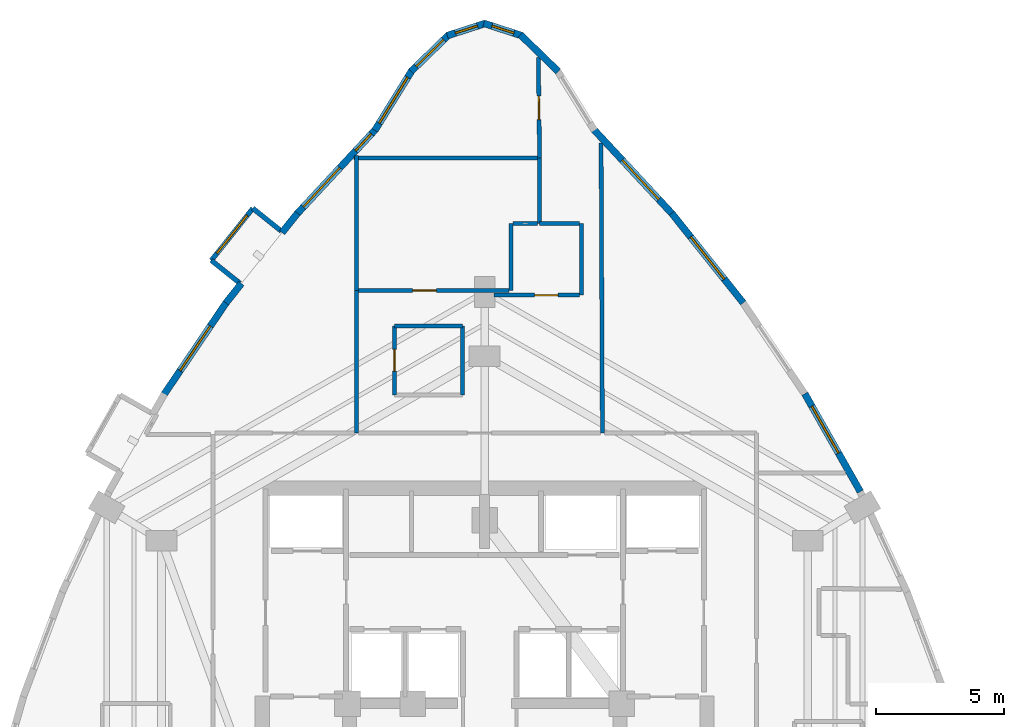
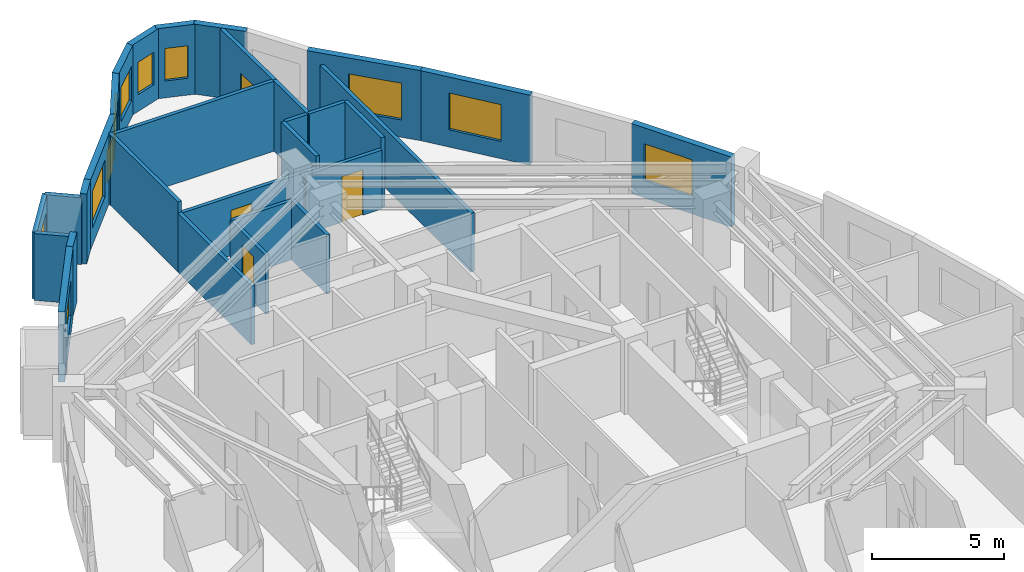
# One storey, part 10 of 12: 30 walls, 11 windows, 4 doors, 15 openings.
"""IFC4 building model written with IfcOpenShell, lengths in metres."""

from ifc_helpers import new_model, si_unit, direction, frame, frame_2d, origin, place, context, subcontext, project, spatial, rectangle, extrude, material, layer, layer_set, type_object, element, fill, save


model = new_model("IFC4")

# Units and contexts
model_context = context("Model", 3, precision=1e-05, world=origin(), true_north=direction((0.0, 1.0)))
body_context = subcontext(model_context, "Body", "Model", "MODEL_VIEW")
ifc_project = project(units=[si_unit("LENGTHUNIT", "METRE"), si_unit("AREAUNIT", "SQUARE_METRE"), si_unit("VOLUMEUNIT", "CUBIC_METRE"), si_unit("PLANEANGLEUNIT", "RADIAN"), si_unit("MASSUNIT", "GRAM", prefix="KILO")], contexts=[model_context])

# Site, building, storey
site_placement = place(None, origin())
site = spatial("IfcSite", under=ifc_project, at=site_placement, CompositionType="ELEMENT")
building_placement = place(site_placement, origin())
building = spatial("IfcBuilding", under=site, at=building_placement, Name="Miruveldt Soraemaru", CompositionType="ELEMENT")
storey_placement = place(building_placement, frame((0.0, 0.0, 145.89990234375)))
storey = spatial("IfcBuildingStorey", under=building, at=storey_placement, Name="L40", CompositionType="ELEMENT", Elevation=145.89990234375)

# Walls
ifc_material_1 = material(Name="White powder-coated aluminium EN AW-6060 T6", Category="aluminium")
ifc_layer_1 = layer(ifc_material_1, 0.18994140625, Name="White powder-coated aluminium EN AW-6060 T6", Category="aluminium")
ifc_layer_set_1 = layer_set([ifc_layer_1], Name="White powder-coated aluminium EN AW-6060 T6")
wall_type_1 = type_object("IfcWallType", Name="WALL-BAY-ALU190", PredefinedType="SOLIDWALL", material=ifc_layer_set_1)
for number, where, z_axis, x_axis, name in (
    (1, (36.073486328125, 62.479248046875, 0.0), (0.0, 0.0, 1.0), (-0.781737193764, 0.623608017817, 0.0), "L40 Bay Window Side Cheek 4L"),
    (2, (33.337890625, 61.335205078125, 0.0), (0.0, 0.0, 1.0), (0.781737193764, -0.623608017817, 0.0), "L40 Bay Window Side Cheek 4R"),
):
    element("IfcWall", number, at=place(storey_placement, frame(where, z_axis=z_axis, x_axis=x_axis)), inside=storey, type_object=wall_type_1, Name=name, PredefinedType="SOLIDWALL", context=body_context, shape_type="SweptSolid", body=[
        extrude(rectangle(XDim=1.425048828125, YDim=0.18994140625, at=frame_2d((0.71240234375, 0.0))), origin(), (0.0, 0.0, 1.0), 3.085205078125),
    ])

# Wall, opening, window
wall_1_placement = place(storey_placement, frame((34.95947265625, 63.367919921875, 0.0), z_axis=(0.0, 0.0, 1.0), x_axis=(-0.623618152817, -0.781729108756, 0.0)))
wall_1 = element("IfcWall", 3, at=wall_1_placement, inside=storey, type_object=wall_type_1, Name="L40 Bay Window Front Frame 4", PredefinedType="SOLIDWALL", context=body_context, shape_type="SweptSolid", body=[
    extrude(rectangle(XDim=2.600341796875, YDim=0.18994140625, at=frame_2d((1.30029296875, 0.0))), origin(), (0.0, 0.0, 1.0), 3.085205078125),
])
opening_1_placement = place(wall_1_placement, frame((0.35009765625, 0.0, 0.550048828125)))
opening_1 = element("IfcOpeningElement", 4, at=opening_1_placement, cuts=wall_1, Name="Opening WN-6", PredefinedType="OPENING", context=body_context, shape_type="SweptSolid", body=[
    extrude(rectangle(XDim=1.89990234375, YDim=1.85009765625, at=frame_2d((0.949951171875, 0.925048828125))), frame((0.0, 0.10498046875, 0.0), z_axis=(0.0, -1.0, 0.0), x_axis=(1.0, 0.0, 0.0)), (0.0, 0.0, 1.0), 0.2099609375),
])
ifc_material_2 = material(Name="Triple low-e insulated glazing", Category="glass")
window_type_1 = type_object("IfcWindowType", Name="WIN-BAYW-1900x1850", PartitioningType="SINGLE_PANEL", PredefinedType="WINDOW", material=ifc_material_2)
window_1_placement = place(opening_1_placement, origin())
window_1 = element("IfcWindow", 5, at=window_1_placement, inside=storey, type_object=window_type_1, Name="L40 Projecting Bay Window 4", OverallHeight=1.85009765625, OverallWidth=1.89990234375, PartitioningType="SINGLE_PANEL", PredefinedType="WINDOW", context=body_context, shape_type="SweptSolid", body=[
    extrude(rectangle(XDim=1.89990234375, YDim=1.85009765625, at=frame_2d((0.949951171875, 0.925048828125))), frame((0.0, 0.030029296875, 0.0), z_axis=(0.0, -1.0, 0.0), x_axis=(1.0, 0.0, 0.0)), (0.0, 0.0, 1.0), 0.06005859375),
])
fill(opening_1, window_1)

# Wall
ifc_material_3 = material(Name="Precast concrete C45/55 (45 MPa)", Category="concrete")
ifc_layer_2 = layer(ifc_material_3, 0.27001953125, Name="Precast concrete C45/55 (45 MPa)", Category="concrete")
ifc_layer_set_2 = layer_set([ifc_layer_2], Name="Precast concrete C45/55 (45 MPa)")
wall_type_2 = type_object("IfcWallType", Name="WALL-EXT-PC270", PredefinedType="SOLIDWALL", material=ifc_layer_set_2)
wall_2_placement = place(storey_placement, frame((46.869384765625, 68.710205078125, 0.0), z_axis=(0.0, 0.0, 1.0), x_axis=(-0.717738140021, 0.696313120916, 0.0)))
element("IfcWall", 6, at=wall_2_placement, inside=storey, type_object=wall_type_2, Name="L40 Precast Concrete Facade Wall 2", PredefinedType="SOLIDWALL", context=body_context, shape_type="SweptSolid", body=[
    extrude(rectangle(XDim=2.051025390625, YDim=0.27001953125, at=frame_2d((1.025390625, 0.0))), origin(), (0.0, 0.0, 1.0), 3.235107421875),
])

# Wall, opening, window
wall_3_placement = place(storey_placement, frame((45.45556640625, 70.103271484375, 0.0), z_axis=(0.0, 0.0, 1.0), x_axis=(-0.951484831967, 0.30769565245, 0.0)))
wall_3 = element("IfcWall", 7, at=wall_3_placement, inside=storey, type_object=wall_type_2, Name="L40 Precast Concrete Facade Wall 3", PredefinedType="SOLIDWALL", context=body_context, shape_type="SweptSolid", body=[
    extrude(rectangle(XDim=1.564697265625, YDim=0.27001953125, at=frame_2d((0.7822265625, 0.0))), origin(), (0.0, 0.0, 1.0), 3.235107421875),
])
opening_2_placement = place(wall_3_placement, frame((0.33203125, 0.0, 0.780029296875)))
opening_2 = element("IfcOpeningElement", 8, at=opening_2_placement, cuts=wall_3, Name="Opening WN-7", PredefinedType="OPENING", context=body_context, shape_type="SweptSolid", body=[
    extrude(rectangle(XDim=0.89990234375, YDim=1.5, at=frame_2d((0.449951171875, 0.75))), frame((0.0, 0.14501953125, 0.0), z_axis=(0.0, -1.0, 0.0), x_axis=(1.0, 0.0, 0.0)), (0.0, 0.0, 1.0), 0.2900390625),
])
window_type_2 = type_object("IfcWindowType", Name="WIN-PUNCH-900x1500", PartitioningType="SINGLE_PANEL", PredefinedType="WINDOW", material=ifc_material_2)
window_2_placement = place(opening_2_placement, origin())
window_2 = element("IfcWindow", 9, at=window_2_placement, inside=storey, type_object=window_type_2, Name="L40 Punched Triple-Glazed Window 03.1", OverallHeight=1.5, OverallWidth=0.89990234375, PartitioningType="SINGLE_PANEL", PredefinedType="WINDOW", context=body_context, shape_type="SweptSolid", body=[
    extrude(rectangle(XDim=0.89990234375, YDim=1.5, at=frame_2d((0.449951171875, 0.75))), frame((0.0, 0.030029296875, 0.0), z_axis=(0.0, -1.0, 0.0), x_axis=(1.0, 0.0, 0.0)), (0.0, 0.0, 1.0), 0.06005859375),
])
fill(opening_2, window_2)

wall_4_placement = place(storey_placement, frame((44.033203125, 70.584716796875, 0.0), z_axis=(0.0, 0.0, 1.0), x_axis=(-0.951484831967, -0.30769565245, 0.0)))
wall_4 = element("IfcWall", 10, at=wall_4_placement, inside=storey, type_object=wall_type_2, Name="L40 Precast Concrete Facade Wall 4", PredefinedType="SOLIDWALL", context=body_context, shape_type="SweptSolid", body=[
    extrude(rectangle(XDim=1.564697265625, YDim=0.27001953125, at=frame_2d((0.7822265625, 0.0))), origin(), (0.0, 0.0, 1.0), 3.235107421875),
])
opening_3_placement = place(wall_4_placement, frame((0.33203125, 0.0, 0.780029296875)))
opening_3 = element("IfcOpeningElement", 11, at=opening_3_placement, cuts=wall_4, Name="Opening WN-7", PredefinedType="OPENING", context=body_context, shape_type="SweptSolid", body=[
    extrude(rectangle(XDim=0.89990234375, YDim=1.5, at=frame_2d((0.449951171875, 0.75))), frame((0.0, 0.14501953125, 0.0), z_axis=(0.0, -1.0, 0.0), x_axis=(1.0, 0.0, 0.0)), (0.0, 0.0, 1.0), 0.2900390625),
])
window_3_placement = place(opening_3_placement, origin())
window_3 = element("IfcWindow", 12, at=window_3_placement, inside=storey, type_object=window_type_2, Name="L40 Punched Triple-Glazed Window 04.1", OverallHeight=1.5, OverallWidth=0.89990234375, PartitioningType="SINGLE_PANEL", PredefinedType="WINDOW", context=body_context, shape_type="SweptSolid", body=[
    extrude(rectangle(XDim=0.89990234375, YDim=1.5, at=frame_2d((0.449951171875, 0.75))), frame((0.0, 0.030029296875, 0.0), z_axis=(0.0, -1.0, 0.0), x_axis=(1.0, 0.0, 0.0)), (0.0, 0.0, 1.0), 0.06005859375),
])
fill(opening_3, window_3)

wall_5_placement = place(storey_placement, frame((42.602783203125, 70.138427734375, 0.0), z_axis=(0.0, 0.0, 1.0), x_axis=(-0.717738140021, -0.696313120916, 0.0)))
wall_5 = element("IfcWall", 13, at=wall_5_placement, inside=storey, type_object=wall_type_2, Name="L40 Precast Concrete Facade Wall 5", PredefinedType="SOLIDWALL", context=body_context, shape_type="SweptSolid", body=[
    extrude(rectangle(XDim=2.051025390625, YDim=0.27001953125, at=frame_2d((1.025390625, 0.0))), origin(), (0.0, 0.0, 1.0), 3.235107421875),
])
opening_4_placement = place(wall_5_placement, frame((0.27587890625, 0.0, 0.800048828125)))
opening_4 = element("IfcOpeningElement", 14, at=opening_4_placement, cuts=wall_5, Name="Opening WN-3", PredefinedType="OPENING", context=body_context, shape_type="SweptSolid", body=[
    extrude(rectangle(XDim=1.5, YDim=1.60009765625, at=frame_2d((0.75, 0.800048828125))), frame((0.0, 0.14501953125, 0.0), z_axis=(0.0, -1.0, 0.0), x_axis=(1.0, 0.0, 0.0)), (0.0, 0.0, 1.0), 0.2900390625),
])
window_type_3 = type_object("IfcWindowType", Name="WIN-PUNCH-1500x1600", PartitioningType="SINGLE_PANEL", PredefinedType="WINDOW", material=ifc_material_2)
window_4_placement = place(opening_4_placement, origin())
window_4 = element("IfcWindow", 15, at=window_4_placement, inside=storey, type_object=window_type_3, Name="L40 Punched Triple-Glazed Window 05.1", OverallHeight=1.60009765625, OverallWidth=1.5, PartitioningType="SINGLE_PANEL", PredefinedType="WINDOW", context=body_context, shape_type="SweptSolid", body=[
    extrude(rectangle(XDim=1.5, YDim=1.60009765625, at=frame_2d((0.75, 0.800048828125))), frame((0.0, 0.030029296875, 0.0), z_axis=(0.0, -1.0, 0.0), x_axis=(1.0, 0.0, 0.0)), (0.0, 0.0, 1.0), 0.06005859375),
])
fill(opening_4, window_4)

wall_6_placement = place(storey_placement, frame((41.174072265625, 68.764404296875, 0.0), z_axis=(0.0, 0.0, 1.0), x_axis=(-0.526060624403, -0.850447070341, 0.0)))
wall_6 = element("IfcWall", 16, at=wall_6_placement, inside=storey, type_object=wall_type_2, Name="L40 Precast Concrete Facade Wall 6", PredefinedType="SOLIDWALL", context=body_context, shape_type="SweptSolid", body=[
    extrude(rectangle(XDim=2.7734375, YDim=0.27001953125, at=frame_2d((1.38671875, 0.0))), origin(), (0.0, 0.0, 1.0), 3.235107421875),
])
opening_5_placement = place(wall_6_placement, frame((0.3369140625, 0.0, 0.800048828125)))
opening_5 = element("IfcOpeningElement", 17, at=opening_5_placement, cuts=wall_6, Name="Opening WN-1", PredefinedType="OPENING", context=body_context, shape_type="SweptSolid", body=[
    extrude(rectangle(XDim=2.10009765625, YDim=1.699951171875, at=frame_2d((1.050048828125, 0.85009765625))), frame((0.0, 0.14501953125, 0.0), z_axis=(0.0, -1.0, 0.0), x_axis=(1.0, 0.0, 0.0)), (0.0, 0.0, 1.0), 0.2900390625),
])
window_type_4 = type_object("IfcWindowType", Name="WIN-PUNCH-2100x1700", PartitioningType="SINGLE_PANEL", PredefinedType="WINDOW", material=ifc_material_2)
window_5_placement = place(opening_5_placement, origin())
window_5 = element("IfcWindow", 18, at=window_5_placement, inside=storey, type_object=window_type_4, Name="L40 Punched Triple-Glazed Window 06.1", OverallHeight=1.699951171875, OverallWidth=2.10009765625, PartitioningType="SINGLE_PANEL", PredefinedType="WINDOW", context=body_context, shape_type="SweptSolid", body=[
    extrude(rectangle(XDim=2.10009765625, YDim=1.699951171875, at=frame_2d((1.050048828125, 0.85009765625))), frame((0.0, 0.030029296875, 0.0), z_axis=(0.0, -1.0, 0.0), x_axis=(1.0, 0.0, 0.0)), (0.0, 0.0, 1.0), 0.06005859375),
])
fill(opening_5, window_5)

# Wall, openings, windows
wall_7_placement = place(storey_placement, frame((39.757080078125, 66.461181640625, 0.0), z_axis=(0.0, 0.0, 1.0), x_axis=(-0.680858015042, -0.732415430854, 0.0)))
wall_7 = element("IfcWall", 19, at=wall_7_placement, inside=storey, type_object=wall_type_2, Name="L40 Precast Concrete Facade Wall 7", PredefinedType="SOLIDWALL", context=body_context, shape_type="SweptSolid", body=[
    extrude(rectangle(XDim=4.555419921875, YDim=0.27001953125, at=frame_2d((2.27783203125, 0.0))), origin(), (0.0, 0.0, 1.0), 3.235107421875),
])
opening_6_placement = place(wall_7_placement, frame((2.052978515625, 0.0, 0.800048828125)))
opening_6 = element("IfcOpeningElement", 20, at=opening_6_placement, cuts=wall_7, Name="Opening WN-1", PredefinedType="OPENING", context=body_context, shape_type="SweptSolid", body=[
    extrude(rectangle(XDim=2.10009765625, YDim=1.699951171875, at=frame_2d((1.050048828125, 0.85009765625))), frame((0.0, 0.14501953125, 0.0), z_axis=(0.0, -1.0, 0.0), x_axis=(1.0, 0.0, 0.0)), (0.0, 0.0, 1.0), 0.2900390625),
])
opening_7_placement = place(wall_7_placement, frame((0.260009765625, 0.0, 0.780029296875)))
opening_7 = element("IfcOpeningElement", 21, at=opening_7_placement, cuts=wall_7, Name="Opening WN-7", PredefinedType="OPENING", context=body_context, shape_type="SweptSolid", body=[
    extrude(rectangle(XDim=0.89990234375, YDim=1.5, at=frame_2d((0.449951171875, 0.75))), frame((0.0, 0.14501953125, 0.0), z_axis=(0.0, -1.0, 0.0), x_axis=(1.0, 0.0, 0.0)), (0.0, 0.0, 1.0), 0.2900390625),
])
window_6_placement = place(opening_6_placement, origin())
window_6 = element("IfcWindow", 22, at=window_6_placement, inside=storey, type_object=window_type_4, Name="L40 Punched Triple-Glazed Window 07.1", OverallHeight=1.699951171875, OverallWidth=2.10009765625, PartitioningType="SINGLE_PANEL", PredefinedType="WINDOW", context=body_context, shape_type="SweptSolid", body=[
    extrude(rectangle(XDim=2.10009765625, YDim=1.699951171875, at=frame_2d((1.050048828125, 0.85009765625))), frame((0.0, 0.030029296875, 0.0), z_axis=(0.0, -1.0, 0.0), x_axis=(1.0, 0.0, 0.0)), (0.0, 0.0, 1.0), 0.06005859375),
])
fill(opening_6, window_6)
window_7_placement = place(opening_7_placement, origin())
window_7 = element("IfcWindow", 23, at=window_7_placement, inside=storey, type_object=window_type_2, Name="L40 Bedroom Casement Window 1", OverallHeight=1.5, OverallWidth=0.89990234375, PartitioningType="SINGLE_PANEL", PredefinedType="WINDOW", context=body_context, shape_type="SweptSolid", body=[
    extrude(rectangle(XDim=0.89990234375, YDim=1.5, at=frame_2d((0.449951171875, 0.75))), frame((0.0, 0.030029296875, 0.0), z_axis=(0.0, -1.0, 0.0), x_axis=(1.0, 0.0, 0.0)), (0.0, 0.0, 1.0), 0.06005859375),
])
fill(opening_7, window_7)

# Walls
for number, where, z_axis, x_axis, name in (
    (24, (36.700927734375, 63.177734375, 0.0), (0.0, 0.0, 1.0), (-0.62355573301, -0.781778899581, 0.0), "L40 Precast Pier Wall 8A"),
    (25, (34.513671875, 60.435791015625, 0.0), (0.0, 0.0, 1.0), (-0.62355573301, -0.781778899581, 0.0), "L40 Precast Pier Wall 8B"),
):
    element("IfcWall", number, at=place(storey_placement, frame(where, z_axis=z_axis, x_axis=x_axis)), inside=storey, type_object=wall_type_2, Name=name, PredefinedType="SOLIDWALL", context=body_context, shape_type="SweptSolid", body=[
        extrude(rectangle(XDim=0.967529296875, YDim=0.27001953125, at=frame_2d((0.48388671875, 0.0))), origin(), (0.0, 0.0, 1.0), 3.235107421875),
    ])

# Wall, opening, window
wall_8_placement = place(storey_placement, frame((33.951904296875, 59.73583984375, 0.0), z_axis=(0.0, 0.0, 1.0), x_axis=(-0.560840818174, -0.82792365389, 0.0)))
wall_8 = element("IfcWall", 26, at=wall_8_placement, inside=storey, type_object=wall_type_2, Name="L40 Precast Concrete Facade Wall 9", PredefinedType="SOLIDWALL", context=body_context, shape_type="SweptSolid", body=[
    extrude(rectangle(XDim=4.420654296875, YDim=0.27001953125, at=frame_2d((2.21044921875, 0.0))), origin(), (0.0, 0.0, 1.0), 3.235107421875),
])
opening_8_placement = place(wall_8_placement, frame((1.159912109375, 0.0, 0.800048828125)))
opening_8 = element("IfcOpeningElement", 27, at=opening_8_placement, cuts=wall_8, Name="Opening WN-1", PredefinedType="OPENING", context=body_context, shape_type="SweptSolid", body=[
    extrude(rectangle(XDim=2.10009765625, YDim=1.699951171875, at=frame_2d((1.050048828125, 0.85009765625))), frame((0.0, 0.14501953125, 0.0), z_axis=(0.0, -1.0, 0.0), x_axis=(1.0, 0.0, 0.0)), (0.0, 0.0, 1.0), 0.2900390625),
])
window_8_placement = place(opening_8_placement, origin())
window_8 = element("IfcWindow", 28, at=window_8_placement, inside=storey, type_object=window_type_4, Name="L40 Punched Triple-Glazed Window 09.1", OverallHeight=1.699951171875, OverallWidth=2.10009765625, PartitioningType="SINGLE_PANEL", PredefinedType="WINDOW", context=body_context, shape_type="SweptSolid", body=[
    extrude(rectangle(XDim=2.10009765625, YDim=1.699951171875, at=frame_2d((1.050048828125, 0.85009765625))), frame((0.0, 0.030029296875, 0.0), z_axis=(0.0, -1.0, 0.0), x_axis=(1.0, 0.0, 0.0)), (0.0, 0.0, 1.0), 0.06005859375),
])
fill(opening_8, window_8)

wall_9_placement = place(storey_placement, frame((58.65771484375, 52.314208984375, 0.0), z_axis=(0.0, 0.0, 1.0), x_axis=(-0.493329436657, 0.869842552953, 0.0)))
wall_9 = element("IfcWall", 29, at=wall_9_placement, inside=storey, type_object=wall_type_2, Name="L40 Precast Concrete Facade Wall 39", PredefinedType="SOLIDWALL", context=body_context, shape_type="SweptSolid", body=[
    extrude(rectangle(XDim=4.39306640625, YDim=0.27001953125, at=frame_2d((2.196533203125, 0.0))), origin(), (0.0, 0.0, 1.0), 3.235107421875),
])
opening_9_placement = place(wall_9_placement, frame((1.73193359375, 0.0, 0.800048828125)))
opening_9 = element("IfcOpeningElement", 30, at=opening_9_placement, cuts=wall_9, Name="Opening WN-1", PredefinedType="OPENING", context=body_context, shape_type="SweptSolid", body=[
    extrude(rectangle(XDim=2.10009765625, YDim=1.699951171875, at=frame_2d((1.050048828125, 0.85009765625))), frame((0.0, 0.14501953125, 0.0), z_axis=(0.0, -1.0, 0.0), x_axis=(1.0, 0.0, 0.0)), (0.0, 0.0, 1.0), 0.2900390625),
])
window_9_placement = place(opening_9_placement, origin())
window_9 = element("IfcWindow", 31, at=window_9_placement, inside=storey, type_object=window_type_4, Name="L40 Punched Triple-Glazed Window 39.1", OverallHeight=1.699951171875, OverallWidth=2.10009765625, PartitioningType="SINGLE_PANEL", PredefinedType="WINDOW", context=body_context, shape_type="SweptSolid", body=[
    extrude(rectangle(XDim=2.10009765625, YDim=1.699951171875, at=frame_2d((1.050048828125, 0.85009765625))), frame((0.0, 0.030029296875, 0.0), z_axis=(0.0, -1.0, 0.0), x_axis=(1.0, 0.0, 0.0)), (0.0, 0.0, 1.0), 0.06005859375),
])
fill(opening_9, window_9)

wall_10_placement = place(storey_placement, frame((54.089599609375, 59.679443359375, 0.0), z_axis=(0.0, 0.0, 1.0), x_axis=(-0.62358996999, 0.78175159055, 0.0)))
wall_10 = element("IfcWall", 32, at=wall_10_placement, inside=storey, type_object=wall_type_2, Name="L40 Precast Concrete Facade Wall 41", PredefinedType="SOLIDWALL", context=body_context, shape_type="SweptSolid", body=[
    extrude(rectangle(XDim=4.474853515625, YDim=0.27001953125, at=frame_2d((2.2373046875, 0.0))), origin(), (0.0, 0.0, 1.0), 3.235107421875),
])
opening_10_placement = place(wall_10_placement, frame((1.18701171875, 0.0, 0.800048828125)))
opening_10 = element("IfcOpeningElement", 33, at=opening_10_placement, cuts=wall_10, Name="Opening WN-1", PredefinedType="OPENING", context=body_context, shape_type="SweptSolid", body=[
    extrude(rectangle(XDim=2.10009765625, YDim=1.699951171875, at=frame_2d((1.050048828125, 0.85009765625))), frame((0.0, 0.14501953125, 0.0), z_axis=(0.0, -1.0, 0.0), x_axis=(1.0, 0.0, 0.0)), (0.0, 0.0, 1.0), 0.2900390625),
])
window_10_placement = place(opening_10_placement, origin())
window_10 = element("IfcWindow", 34, at=window_10_placement, inside=storey, type_object=window_type_4, Name="L40 Punched Triple-Glazed Window 41.1", OverallHeight=1.699951171875, OverallWidth=2.10009765625, PartitioningType="SINGLE_PANEL", PredefinedType="WINDOW", context=body_context, shape_type="SweptSolid", body=[
    extrude(rectangle(XDim=2.10009765625, YDim=1.699951171875, at=frame_2d((1.050048828125, 0.85009765625))), frame((0.0, 0.030029296875, 0.0), z_axis=(0.0, -1.0, 0.0), x_axis=(1.0, 0.0, 0.0)), (0.0, 0.0, 1.0), 0.06005859375),
])
fill(opening_10, window_10)

wall_11_placement = place(storey_placement, frame((51.344482421875, 63.124755859375, 0.0), z_axis=(0.0, 0.0, 1.0), x_axis=(-0.680858015042, 0.732415430854, 0.0)))
wall_11 = element("IfcWall", 35, at=wall_11_placement, inside=storey, type_object=wall_type_2, Name="L40 Precast Concrete Facade Wall 42", PredefinedType="SOLIDWALL", context=body_context, shape_type="SweptSolid", body=[
    extrude(rectangle(XDim=4.555419921875, YDim=0.27001953125, at=frame_2d((2.27783203125, 0.0))), origin(), (0.0, 0.0, 1.0), 3.235107421875),
])
opening_11_placement = place(wall_11_placement, frame((0.805908203125, 0.0, 0.800048828125)))
opening_11 = element("IfcOpeningElement", 36, at=opening_11_placement, cuts=wall_11, Name="Opening WN-1", PredefinedType="OPENING", context=body_context, shape_type="SweptSolid", body=[
    extrude(rectangle(XDim=2.10009765625, YDim=1.699951171875, at=frame_2d((1.050048828125, 0.85009765625))), frame((0.0, 0.14501953125, 0.0), z_axis=(0.0, -1.0, 0.0), x_axis=(1.0, 0.0, 0.0)), (0.0, 0.0, 1.0), 0.2900390625),
])
window_11_placement = place(opening_11_placement, origin())
window_11 = element("IfcWindow", 37, at=window_11_placement, inside=storey, type_object=window_type_4, Name="L40 Punched Triple-Glazed Window 42.1", OverallHeight=1.699951171875, OverallWidth=2.10009765625, PartitioningType="SINGLE_PANEL", PredefinedType="WINDOW", context=body_context, shape_type="SweptSolid", body=[
    extrude(rectangle(XDim=2.10009765625, YDim=1.699951171875, at=frame_2d((1.050048828125, 0.85009765625))), frame((0.0, 0.030029296875, 0.0), z_axis=(0.0, -1.0, 0.0), x_axis=(1.0, 0.0, 0.0)), (0.0, 0.0, 1.0), 0.06005859375),
])
fill(opening_11, window_11)

# Wall, opening, door
ifc_material_4 = material(Name="Gypsum plasterboard lining", Category="gypsum")
ifc_layer_3 = layer(ifc_material_4, 0.14990234375, Name="Gypsum plasterboard lining", Category="gypsum")
ifc_layer_set_3 = layer_set([ifc_layer_3], Name="Gypsum plasterboard lining")
wall_type_3 = type_object("IfcWallType", Name="WALL-INT-PLUMB", PredefinedType="PLUMBINGWALL", material=ifc_layer_set_3)
wall_12_placement = place(storey_placement, frame((40.48095703125, 58.780029296875, 0.0), z_axis=(0.0, 0.0, 1.0), x_axis=(0.0, -1.0, 0.0)))
wall_12 = element("IfcWall", 38, at=wall_12_placement, inside=storey, type_object=wall_type_3, Name="L40 Partition Wall 18", PredefinedType="PLUMBINGWALL", context=body_context, shape_type="SweptSolid", body=[
    extrude(rectangle(XDim=2.699951171875, YDim=0.14990234375, at=frame_2d((1.35009765625, 0.0))), origin(), (0.0, 0.0, 1.0), 2.72314453125),
])
opening_12_placement = place(wall_12_placement, frame((0.909912109375, 0.0, 0.0)))
opening_12 = element("IfcOpeningElement", 39, at=opening_12_placement, cuts=wall_12, Name="Opening FD3", PredefinedType="OPENING", context=body_context, shape_type="SweptSolid", body=[
    extrude(rectangle(XDim=0.85009765625, YDim=2.10009765625, at=frame_2d((0.425048828125, 1.050048828125))), frame((0.0, 0.0849609375, 0.0), z_axis=(0.0, -1.0, 0.0), x_axis=(1.0, 0.0, 0.0)), (0.0, 0.0, 1.0), 0.169921875),
])
ifc_material_5 = material(Name="Anodised aluminium EN AW-6063 T6", Category="aluminium")
door_type_1 = type_object("IfcDoorType", Name="DOOR-FD3-850", OperationType="NOTDEFINED", PredefinedType="DOOR", material=ifc_material_5)
door_1_placement = place(opening_12_placement, origin())
door_1 = element("IfcDoor", 40, at=door_1_placement, inside=storey, type_object=door_type_1, Name="L40 Unit 4002 BTH Door", OperationType="SINGLE_SWING_RIGHT", OverallHeight=2.10009765625, OverallWidth=0.85009765625, PredefinedType="DOOR", context=body_context, shape_type="SweptSolid", body=[
    extrude(rectangle(XDim=0.85009765625, YDim=2.10009765625, at=frame_2d((0.425048828125, 1.050048828125))), frame((0.0, 0.02490234375, 0.0), z_axis=(0.0, -1.0, 0.0), x_axis=(1.0, 0.0, 0.0)), (0.0, 0.0, 1.0), 0.050048828125),
])
fill(opening_12, door_1)

# Walls
wall_13_placement = place(storey_placement, frame((43.131103515625, 56.080078125, 0.0), z_axis=(0.0, 0.0, 1.0), x_axis=(0.0, 1.0, 0.0)))
element("IfcWall", 41, at=wall_13_placement, inside=storey, type_object=wall_type_3, Name="L40 Partition Wall 16", PredefinedType="PLUMBINGWALL", context=body_context, shape_type="SweptSolid", body=[
    extrude(rectangle(XDim=2.699951171875, YDim=0.14990234375, at=frame_2d((1.35009765625, 0.0))), origin(), (0.0, 0.0, 1.0), 2.735107421875),
])
wall_14_placement = place(storey_placement, frame((43.131103515625, 58.780029296875, 0.0), z_axis=(0.0, 0.0, 1.0), x_axis=(-1.0, 0.0, 0.0)))
element("IfcWall", 42, at=wall_14_placement, inside=storey, type_object=wall_type_3, Name="L40 Partition Wall 17", PredefinedType="PLUMBINGWALL", context=body_context, shape_type="SweptSolid", body=[
    extrude(rectangle(XDim=2.650146484375, YDim=0.14990234375, at=frame_2d((1.3251953125, 0.0))), origin(), (0.0, 0.0, 1.0), 2.72314453125),
])

# Wall, opening, door
ifc_material_6 = material(Name="Concrete C40/50 (40 MPa)", Category="concrete")
ifc_layer_4 = layer(ifc_material_6, 0.159912109375, Name="Concrete C40/50 (40 MPa)", Category="concrete")
ifc_layer_set_4 = layer_set([ifc_layer_4], Name="Concrete C40/50 (40 MPa)")
wall_type_4 = type_object("IfcWallType", Name="WALL-INT-RC160", PredefinedType="SOLIDWALL", material=ifc_layer_set_4)
wall_15_placement = place(storey_placement, frame((44.950927734375, 60.160888671875, 0.0), z_axis=(0.0, 0.0, 1.0), x_axis=(-1.0, 0.0, 0.0)))
wall_15 = element("IfcWall", 43, at=wall_15_placement, inside=storey, type_object=wall_type_4, Name="L40 Partition Wall 24", PredefinedType="SOLIDWALL", context=body_context, shape_type="SweptSolid", body=[
    extrude(rectangle(XDim=5.870849609375, YDim=0.159912109375, at=frame_2d((2.935546875, 0.0))), origin(), (0.0, 0.0, 1.0), 2.72314453125),
])
opening_13_placement = place(wall_15_placement, frame((2.8359375, 0.0, 0.0)))
opening_13 = element("IfcOpeningElement", 44, at=opening_13_placement, cuts=wall_15, Name="Opening D3A", PredefinedType="OPENING", context=body_context, shape_type="SweptSolid", body=[
    extrude(rectangle(XDim=0.919921875, YDim=2.10009765625, at=frame_2d((0.4599609375, 1.050048828125))), frame((0.0, 0.08984375, 0.0), z_axis=(0.0, -1.0, 0.0), x_axis=(1.0, 0.0, 0.0)), (0.0, 0.0, 1.0), 0.179931640625),
])
door_type_2 = type_object("IfcDoorType", Name="DOOR-INT-920", OperationType="NOTDEFINED", PredefinedType="DOOR", material=ifc_material_5)
door_2_placement = place(opening_13_placement, origin())
door_2 = element("IfcDoor", 45, at=door_2_placement, inside=storey, type_object=door_type_2, Name="L40 Unit 4002 BD1 Door", OperationType="SINGLE_SWING_RIGHT", OverallHeight=2.10009765625, OverallWidth=0.919921875, PredefinedType="DOOR", context=body_context, shape_type="SweptSolid", body=[
    extrude(rectangle(XDim=0.919921875, YDim=2.10009765625, at=frame_2d((0.4599609375, 1.050048828125))), frame((0.0, 0.02490234375, 0.0), z_axis=(0.0, -1.0, 0.0), x_axis=(1.0, 0.0, 0.0)), (0.0, 0.0, 1.0), 0.050048828125),
])
fill(opening_13, door_2)

wall_16_placement = place(storey_placement, frame((46.095947265625, 69.251953125, 0.0), z_axis=(0.0, 0.0, 1.0), x_axis=(0.012249562797, -0.999924971291, 0.0)))
wall_16 = element("IfcWall", 46, at=wall_16_placement, inside=storey, type_object=wall_type_4, Name="L40 Partition Wall 25", PredefinedType="SOLIDWALL", context=body_context, shape_type="SweptSolid", body=[
    extrude(rectangle(XDim=3.92626953125, YDim=0.159912109375, at=frame_2d((1.963134765625, 0.0))), origin(), (0.0, 0.0, 1.0), 3.235107421875),
])
opening_14_placement = place(wall_16_placement, frame((1.5029296875, 0.0, 0.0)))
opening_14 = element("IfcOpeningElement", 47, at=opening_14_placement, cuts=wall_16, Name="Opening D3A", PredefinedType="OPENING", context=body_context, shape_type="SweptSolid", body=[
    extrude(rectangle(XDim=0.919921875, YDim=2.10009765625, at=frame_2d((0.4599609375, 1.050048828125))), frame((0.0, 0.08984375, 0.0), z_axis=(0.0, -1.0, 0.0), x_axis=(1.0, 0.0, 0.0)), (0.0, 0.0, 1.0), 0.179931640625),
])
door_3_placement = place(opening_14_placement, origin())
door_3 = element("IfcDoor", 48, at=door_3_placement, inside=storey, type_object=door_type_2, Name="L40 Unit 4002 BD2 Door", OperationType="SINGLE_SWING_LEFT", OverallHeight=2.10009765625, OverallWidth=0.919921875, PredefinedType="DOOR", context=body_context, shape_type="SweptSolid", body=[
    extrude(rectangle(XDim=0.919921875, YDim=2.10009765625, at=frame_2d((0.4599609375, 1.050048828125))), frame((0.0, 0.02490234375, 0.0), z_axis=(0.0, -1.0, 0.0), x_axis=(1.0, 0.0, 0.0)), (0.0, 0.0, 1.0), 0.050048828125),
])
fill(opening_14, door_3)

wall_17_placement = place(storey_placement, frame((44.375244140625, 59.97998046875, 0.0), z_axis=(0.0, 0.0, 1.0), x_axis=(1.0, 0.0, 0.0)))
wall_17 = element("IfcWall", 49, at=wall_17_placement, inside=storey, type_object=wall_type_4, Name="L40 Partition Wall 22", PredefinedType="SOLIDWALL", context=body_context, shape_type="SweptSolid", body=[
    extrude(rectangle(XDim=3.32568359375, YDim=0.159912109375, at=frame_2d((1.662841796875, 0.0))), origin(), (0.0, 0.0, 1.0), 2.72314453125),
])
opening_15_placement = place(wall_17_placement, frame((1.571044921875, 0.0, 0.0)))
opening_15 = element("IfcOpeningElement", 50, at=opening_15_placement, cuts=wall_17, Name="Opening D3A", PredefinedType="OPENING", context=body_context, shape_type="SweptSolid", body=[
    extrude(rectangle(XDim=0.919921875, YDim=2.10009765625, at=frame_2d((0.4599609375, 1.050048828125))), frame((0.0, 0.08984375, 0.0), z_axis=(0.0, -1.0, 0.0), x_axis=(1.0, 0.0, 0.0)), (0.0, 0.0, 1.0), 0.179931640625),
])
door_4_placement = place(opening_15_placement, origin())
door_4 = element("IfcDoor", 51, at=door_4_placement, inside=storey, type_object=door_type_2, Name="L40 Unit 4002 KIT Door", OperationType="SINGLE_SWING_LEFT", OverallHeight=2.10009765625, OverallWidth=0.919921875, PredefinedType="DOOR", context=body_context, shape_type="SweptSolid", body=[
    extrude(rectangle(XDim=0.919921875, YDim=2.10009765625, at=frame_2d((0.4599609375, 1.050048828125))), frame((0.0, 0.02490234375, 0.0), z_axis=(0.0, -1.0, 0.0), x_axis=(1.0, 0.0, 0.0)), (0.0, 0.0, 1.0), 0.050048828125),
])
fill(opening_15, door_4)

# Walls
wall_18_placement = place(storey_placement, frame((48.593994140625, 54.60009765625, 0.0), z_axis=(0.0, 0.0, 1.0), x_axis=(-0.004508345399, 0.999989837359, 0.0)))
element("IfcWall", 52, at=wall_18_placement, inside=storey, type_object=wall_type_4, Name="L40 Partition Wall 26", PredefinedType="SOLIDWALL", context=body_context, shape_type="SweptSolid", body=[
    extrude(rectangle(XDim=11.31787109375, YDim=0.159912109375, at=frame_2d((5.658935546875, 0.0))), origin(), (0.0, 0.0, 1.0), 2.72314453125),
])
wall_19_placement = place(storey_placement, frame((46.06396484375, 65.325927734375, 0.0), z_axis=(0.0, 0.0, 1.0), x_axis=(-1.0, 0.0, 0.0)))
element("IfcWall", 53, at=wall_19_placement, inside=storey, type_object=wall_type_4, Name="L40 Partition Wall 29", PredefinedType="SOLIDWALL", context=body_context, shape_type="SweptSolid", body=[
    extrude(rectangle(XDim=7.156982421875, YDim=0.159912109375, at=frame_2d((3.57861328125, 0.0))), origin(), (0.0, 0.0, 1.0), 3.235107421875),
])
wall_20_placement = place(storey_placement, frame((39.0, 54.60302734375, 0.0), z_axis=(0.0, 0.0, 1.0), x_axis=(0.0, 1.0, 0.0)))
element("IfcWall", 54, at=wall_20_placement, inside=storey, type_object=wall_type_4, Name="L40 Partition Wall 13", PredefinedType="SOLIDWALL", context=body_context, shape_type="SweptSolid", body=[
    extrude(rectangle(XDim=5.557861328125, YDim=0.159912109375, at=frame_2d((2.77880859375, 0.0))), origin(), (0.0, 0.0, 1.0), 2.72314453125),
])
wall_21_placement = place(storey_placement, frame((39.0, 60.160888671875, 0.0), z_axis=(0.0, 0.0, 1.0), x_axis=(0.0, 1.0, 0.0)))
element("IfcWall", 55, at=wall_21_placement, inside=storey, type_object=wall_type_4, Name="L40 Partition Wall 14", PredefinedType="SOLIDWALL", context=body_context, shape_type="SweptSolid", body=[
    extrude(rectangle(XDim=5.26513671875, YDim=0.159912109375, at=frame_2d((2.632568359375, 0.0))), origin(), (0.0, 0.0, 1.0), 3.235107421875),
])
wall_22_placement = place(storey_placement, frame((47.781005859375, 59.97998046875, 0.0), z_axis=(0.0, 0.0, 1.0), x_axis=(0.0, 1.0, 0.0)))
element("IfcWall", 56, at=wall_22_placement, inside=storey, type_object=wall_type_4, Name="L40 Partition Wall 20", PredefinedType="SOLIDWALL", context=body_context, shape_type="SweptSolid", body=[
    extrude(rectangle(XDim=2.800048828125, YDim=0.159912109375, at=frame_2d((1.39990234375, 0.0))), origin(), (0.0, 0.0, 1.0), 3.235107421875),
])
wall_23_placement = place(storey_placement, frame((45.031005859375, 62.780029296875, 0.0), z_axis=(0.0, 0.0, 1.0), x_axis=(0.0, -1.0, 0.0)))
element("IfcWall", 57, at=wall_23_placement, inside=storey, type_object=wall_type_4, Name="L40 Partition Wall 28", PredefinedType="SOLIDWALL", context=body_context, shape_type="SweptSolid", body=[
    extrude(rectangle(XDim=2.619140625, YDim=0.159912109375, at=frame_2d((1.3095703125, 0.0))), origin(), (0.0, 0.0, 1.0), 3.235107421875),
])
wall_24_placement = place(storey_placement, frame((46.14404296875, 65.325927734375, 0.0), z_axis=(0.0, 0.0, 1.0), x_axis=(0.0, -1.0, 0.0)))
element("IfcWall", 58, at=wall_24_placement, inside=storey, type_object=wall_type_4, Name="L40 Partition Wall 23", PredefinedType="SOLIDWALL", context=body_context, shape_type="SweptSolid", body=[
    extrude(rectangle(XDim=2.5458984375, YDim=0.159912109375, at=frame_2d((1.27294921875, 0.0))), origin(), (0.0, 0.0, 1.0), 3.235107421875),
])
wall_25_placement = place(storey_placement, frame((47.700927734375, 62.780029296875, 0.0), z_axis=(0.0, 0.0, 1.0), x_axis=(-1.0, 0.0, 0.0)))
element("IfcWall", 59, at=wall_25_placement, inside=storey, type_object=wall_type_4, Name="L40 Partition Wall 21", PredefinedType="SOLIDWALL", context=body_context, shape_type="SweptSolid", body=[
    extrude(rectangle(XDim=1.56689453125, YDim=0.159912109375, at=frame_2d((0.783447265625, 0.0))), origin(), (0.0, 0.0, 1.0), 3.235107421875),
])
wall_26_placement = place(storey_placement, frame((46.06396484375, 62.780029296875, 0.0), z_axis=(0.0, 0.0, 1.0), x_axis=(-1.0, 0.0, 0.0)))
element("IfcWall", 60, at=wall_26_placement, inside=storey, type_object=wall_type_4, Name="L40 Partition Wall 27", PredefinedType="SOLIDWALL", context=body_context, shape_type="SweptSolid", body=[
    extrude(rectangle(XDim=0.952880859375, YDim=0.159912109375, at=frame_2d((0.4765625, 0.0))), origin(), (0.0, 0.0, 1.0), 3.235107421875),
])

save(model, "model.ifc")
